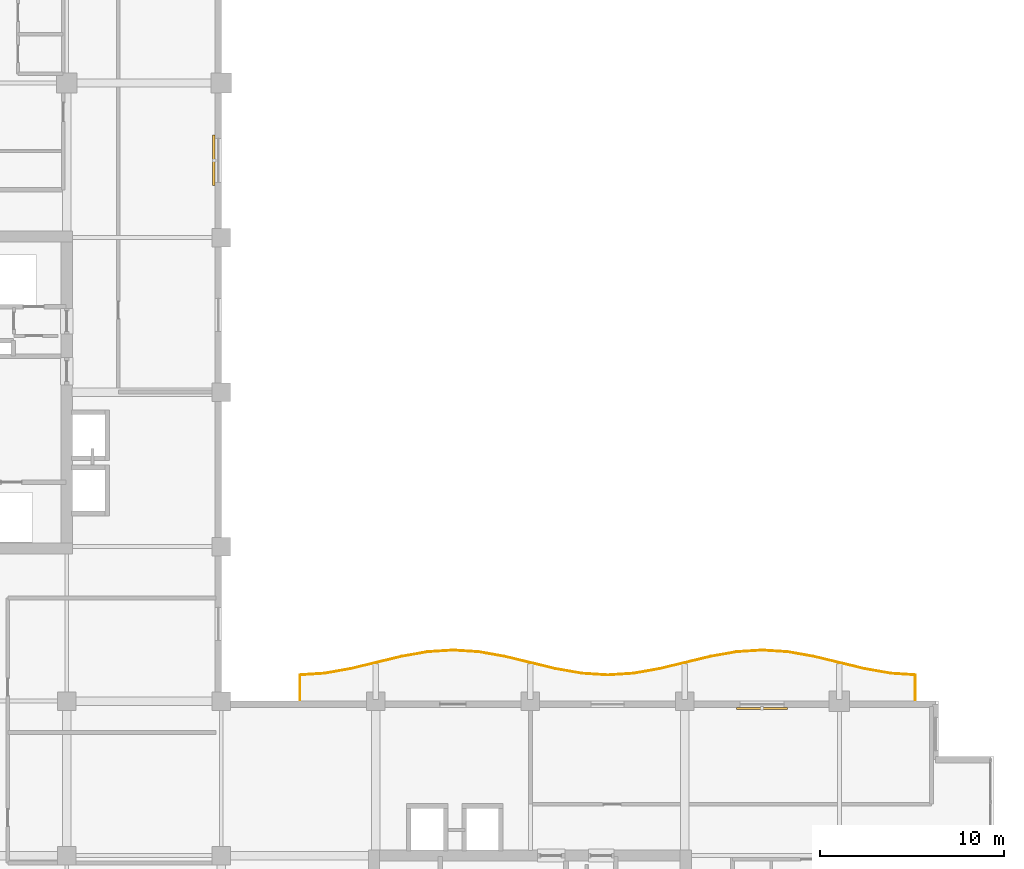
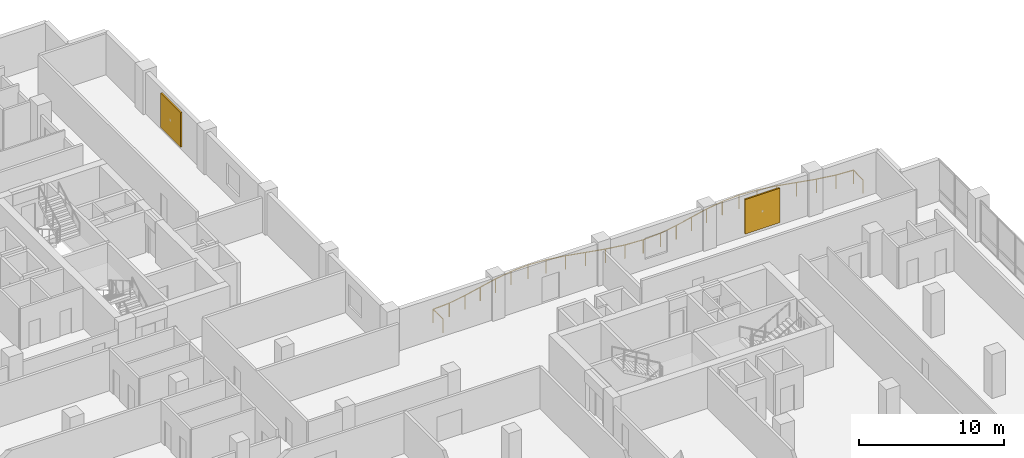
# One storey, part 20 of 20: 2 shading devices, 1 railing.
"""IFC4 building model written with IfcOpenShell, lengths in metres."""

import ifcopenshell
import ifcopenshell.guid

model = None  # the IFC model being written
_history = None  # IfcOwnerHistory: only IFC2X3 demands one
_inside = {}  # id of a spatial element -> (the spatial element, [elements in it])
_under = {}  # id of a project, library or spatial element -> (it, [spatial elements below it])
_declared = {}  # id of a project -> (the project, [libraries it declares])
_typed = {}  # id of a type object -> (the type object, [elements of that type])
_made_of = {}  # id of a material, layer set ... -> (it, [elements and type objects made of it])


def new_model(schema):
    """Start an empty IFC model of exactly this schema.

    Asked for "IFC4X3", IfcOpenShell would pick the latest addendum, in which some entities
    have other attributes; the version numbers below select the first issue.
    IFC2X3 requires an IfcOwnerHistory on every rooted entity: one is made here for all.
    """
    global model, _history
    if schema == "IFC4X3":
        model = ifcopenshell.file(schema_version=(4, 3, 0, 0))
    else:
        model = ifcopenshell.file(schema=schema)
    _inside.clear()
    _under.clear()
    _declared.clear()
    _typed.clear()
    _made_of.clear()
    _history = None
    if model.schema == "IFC2X3":
        org = make("IfcOrganization", Name="unknown")
        user = make(
            "IfcPersonAndOrganization",
            ThePerson=make("IfcPerson", FamilyName="unknown"),
            TheOrganization=org,
        )
        app = make(
            "IfcApplication",
            ApplicationDeveloper=org,
            Version="unknown",
            ApplicationFullName="unknown",
            ApplicationIdentifier="unknown",
        )
        _history = make(
            "IfcOwnerHistory",
            OwningUser=user,
            OwningApplication=app,
            ChangeAction="ADDED",
            CreationDate=0,
        )
    return model


def make(cls, **values):
    """One entity of the class cls with the attributes given. An attribute that is None is left unset."""
    return model.create_entity(
        cls, **{name: value for name, value in values.items() if value is not None}
    )


def rooted(cls, **values):
    """An entity with a GlobalId (a new one), such as an element, a storey or a relation."""
    return make(cls, GlobalId=ifcopenshell.guid.new(), OwnerHistory=_history, **values)


def si_unit(unit_type, name, prefix=None):
    """IfcSIUnit, for example si_unit("LENGTHUNIT", "METRE", prefix="MILLI")."""
    return make("IfcSIUnit", UnitType=unit_type, Prefix=prefix, Name=name)


def assignment(units):
    """IfcUnitAssignment: the units of a project."""
    return None if units is None else make("IfcUnitAssignment", Units=units)


def point(xyz):
    """IfcCartesianPoint."""
    return None if xyz is None else make("IfcCartesianPoint", Coordinates=xyz)


def direction(xyz):
    """IfcDirection."""
    return None if xyz is None else make("IfcDirection", DirectionRatios=xyz)


def frame(location, z_axis=None, x_axis=None):
    """IfcAxis2Placement3D, a coordinate frame: its origin and axes. An axis left out is left unset."""
    return make(
        "IfcAxis2Placement3D",
        Location=point(location),
        Axis=direction(z_axis),
        RefDirection=direction(x_axis),
    )


def frame_2d(location, x_axis=None):
    """IfcAxis2Placement2D, a coordinate frame in the plane: its origin and x axis."""
    return make(
        "IfcAxis2Placement2D", Location=point(location), RefDirection=direction(x_axis)
    )


def origin():
    """The frame at (0, 0, 0) with its axes left unset."""
    return frame((0.0, 0.0, 0.0))


def origin_2d():
    """The frame at (0, 0) in the plane with its x axis left unset."""
    return frame_2d((0.0, 0.0))


def place(relative_to, where):
    """IfcLocalPlacement: puts the frame where relative to a parent placement (None: the world)."""
    return make(
        "IfcLocalPlacement", PlacementRelTo=relative_to, RelativePlacement=where
    )


def context(
    kind, dimensions, precision=None, world=None, true_north=None, identifier=None
):
    """IfcGeometricRepresentationContext, for example the 3D "Model" context."""
    return make(
        "IfcGeometricRepresentationContext",
        ContextIdentifier=identifier,
        ContextType=kind,
        CoordinateSpaceDimension=dimensions,
        Precision=precision,
        WorldCoordinateSystem=world,
        TrueNorth=true_north,
    )


def subcontext(parent, identifier, kind, view, scale=None):
    """IfcGeometricRepresentationSubContext, for example "Body" below "Model"."""
    return make(
        "IfcGeometricRepresentationSubContext",
        ContextIdentifier=identifier,
        ContextType=kind,
        ParentContext=parent,
        TargetScale=scale,
        TargetView=view,
    )


def project(units=None, contexts=None):
    """IfcProject with its units and contexts."""
    return rooted(
        "IfcProject",
        Name="project",
        RepresentationContexts=contexts,
        UnitsInContext=assignment(units),
    )


def spatial(cls, under=None, at=None, **own):
    """A site, building, storey or space (cls), placed at a placement, below another one or the project."""
    s = rooted(cls, ObjectPlacement=at, **own)
    if under is not None:
        _under.setdefault(under.id(), (under, []))[1].append(s)
    return s


def profile(cls, at=None, kind="AREA", **sizes):
    """A parametric profile (cls). Its sizes go by their IFC names, for example OverallWidth=200.0."""
    return make(cls, ProfileType=kind, Position=at, **sizes)


def rectangle(**sizes):
    """IfcRectangleProfileDef."""
    return profile("IfcRectangleProfileDef", **sizes)


def circle(**sizes):
    """IfcCircleProfileDef."""
    return profile("IfcCircleProfileDef", **sizes)


def extrude(swept, where, along, depth):
    """IfcExtrudedAreaSolid: the profile swept, set in the frame where, extruded along a direction by depth."""
    return make(
        "IfcExtrudedAreaSolid",
        SweptArea=swept,
        Position=where,
        ExtrudedDirection=direction(along),
        Depth=depth,
    )


def shape(context_of_items, identifier, shape_type, items):
    """IfcShapeRepresentation: the items that make up one representation, for example the "Body"."""
    return make(
        "IfcShapeRepresentation",
        ContextOfItems=context_of_items,
        RepresentationIdentifier=identifier,
        RepresentationType=shape_type,
        Items=items,
    )


def material(Name=None, Category=None):
    """IfcMaterial."""
    return make("IfcMaterial", Name=Name, Category=Category)


def layer(
    of_material, thickness, ventilated=None, Name=None, Category=None, Priority=None
):
    """IfcMaterialLayer: one layer of a wall or slab, of a material (None: an air gap)."""
    return make(
        "IfcMaterialLayer",
        Material=of_material,
        LayerThickness=thickness,
        IsVentilated=ventilated,
        Name=Name,
        Category=Category,
        Priority=Priority,
    )


def layer_set(layers, Name=None):
    """IfcMaterialLayerSet."""
    return make("IfcMaterialLayerSet", MaterialLayers=layers, LayerSetName=Name)


def made_of(thing, what):
    """Note that an element or type object is made of a material, layer set ...; save() writes the relation."""
    if what is not None:
        _made_of.setdefault(what.id(), (what, []))[1].append(thing)
    return thing


def type_object(cls, material=None, **own):
    """A type object (cls), such as IfcWallType, which elements share."""
    return made_of(rooted(cls, **own), material)


def element(
    cls,
    number,
    at=None,
    inside=None,
    cuts=None,
    type_object=None,
    material=None,
    context=None,
    identifier="Body",
    shape_type=None,
    held_by="IfcProductDefinitionShape",
    body=None,
    shapes=None,
    **own,
):
    """One element of the class cls, such as IfcWall. Its Tag is "e" and its number.

    at: its placement. inside: the storey or other place that contains it. cuts: it is an
    opening in that element (IfcRelVoidsElement). A single representation is given by context,
    identifier, shape_type and body (its items); several are given by shapes. held_by: the class
    of the entity that holds the representations. save() writes the other relations.
    """
    e = rooted(cls, Tag="e%d" % number, ObjectPlacement=at, **own)
    if body is not None:
        shapes = [shape(context, identifier, shape_type, body)]
    if shapes is not None:
        e.Representation = make(held_by, Representations=shapes)
    if inside is not None:
        _inside.setdefault(inside.id(), (inside, []))[1].append(e)
    if cuts is not None:
        rooted(
            "IfcRelVoidsElement", RelatingBuildingElement=cuts, RelatedOpeningElement=e
        )
    if type_object is not None:
        _typed.setdefault(type_object.id(), (type_object, []))[1].append(e)
    return made_of(e, material)


def aggregate(whole, parts):
    """IfcRelAggregates: a whole, such as a stair, and the parts it consists of."""
    return rooted("IfcRelAggregates", RelatingObject=whole, RelatedObjects=parts)


def save(model, path):
    """Write the relations noted so far, then the file.

    IfcRelAggregates (storeys below a building ...), IfcRelContainedInSpatialStructure (elements
    in a storey), IfcRelDefinesByType, IfcRelAssociatesMaterial and IfcRelDeclares: one each for
    every whole, place, type object, material and project.
    """
    for whole, parts in _under.values():
        aggregate(whole, parts)
    for where, things in _inside.values():
        rooted(
            "IfcRelContainedInSpatialStructure",
            RelatedElements=things,
            RelatingStructure=where,
        )
    for kind, things in _typed.values():
        rooted("IfcRelDefinesByType", RelatedObjects=things, RelatingType=kind)
    for what, things in _made_of.values():
        rooted("IfcRelAssociatesMaterial", RelatedObjects=things, RelatingMaterial=what)
    for by, libraries in _declared.values():
        rooted("IfcRelDeclares", RelatingContext=by, RelatedDefinitions=libraries)
    model.write(path)


model = new_model("IFC4")

# Units and contexts
model_context = context("Model", 3, precision=1e-05, world=origin(), true_north=direction((0.0, 1.0)))
body_context = subcontext(model_context, "Body", "Model", "MODEL_VIEW")
ifc_project = project(units=[si_unit("LENGTHUNIT", "METRE"), si_unit("AREAUNIT", "SQUARE_METRE"), si_unit("VOLUMEUNIT", "CUBIC_METRE"), si_unit("PLANEANGLEUNIT", "RADIAN"), si_unit("MASSUNIT", "GRAM", prefix="KILO")], contexts=[model_context])

# Site, building, storey
site_placement = place(None, origin())
site = spatial("IfcSite", under=ifc_project, at=site_placement, CompositionType="ELEMENT")
building_placement = place(site_placement, origin())
building = spatial("IfcBuilding", under=site, at=building_placement, Name="Koriwani Terraces Tower", CompositionType="ELEMENT")
storey_placement = place(building_placement, frame((0.0, 0.0, 212.39990234375)))
storey = spatial("IfcBuildingStorey", under=building, at=storey_placement, Name="L52", CompositionType="ELEMENT", Elevation=212.39990234375)

# Railing
ifc_material_1 = material(Name="Steel ASTM A572 Grade 50", Category="steel")
railing_type = type_object("IfcRailingType", Name="GUARD_BALUSTRADE_1150", PredefinedType="BALUSTRADE", material=ifc_material_1)
railing_placement = place(storey_placement, frame((71.320068359375, 33.679931640625, 0.0)))
element("IfcRailing", 1, at=railing_placement, inside=storey, type_object=railing_type, Name="L52 Balcony Perimeter Safety Balustrade (NE)", PredefinedType="BALUSTRADE", context=body_context, shape_type="SweptSolid", body=[
    extrude(circle(Radius=0.02392578125, at=origin_2d()), frame((0.0, 0.0, 1.1259765625), z_axis=(0.0, 1.0, 0.0), x_axis=(-1.0, 0.0, 0.0)), (0.0, 0.0, 1.0), 1.344970703125),
    extrude(circle(Radius=0.02392578125, at=origin_2d()), frame((0.0, 1.344970703125, 1.1259765625), z_axis=(-0.997905895812, 0.064682479108, 0.0), x_axis=(-0.064682479108, -0.997905895812, 0.0)), (0.0, 0.0, 1.0), 1.332275390625),
    extrude(circle(Radius=0.02392578125, at=origin_2d()), frame((-1.32958984375, 1.43115234375, 1.1259765625), z_axis=(-0.984807637937, 0.173648830292, 0.0), x_axis=(-0.173648830292, -0.984807637937, 0.0)), (0.0, 0.0, 1.0), 1.428466796875),
    extrude(circle(Radius=0.02392578125, at=origin_2d()), frame((-2.736328125, 1.67919921875, 1.1259765625), z_axis=(-0.972147505112, 0.234369853661, 0.0), x_axis=(-0.234369853661, -0.972147505112, 0.0)), (0.0, 0.0, 1.0), 2.88037109375),
    extrude(circle(Radius=0.02392578125, at=origin_2d()), frame((-5.536376953125, 2.354248046875, 1.1259765625), z_axis=(-0.984787032938, 0.173765646078, 0.0), x_axis=(-0.173765646078, -0.984787032938, 0.0)), (0.0, 0.0, 1.0), 1.414794921875),
    extrude(circle(Radius=0.02392578125, at=origin_2d()), frame((-6.9296875, 2.60009765625, 1.1259765625), z_axis=(-0.997918766852, 0.064483600738, 0.0), x_axis=(-0.064483600738, -0.997918766852, 0.0)), (0.0, 0.0, 1.0), 1.393310546875),
    extrude(circle(Radius=0.02392578125, at=origin_2d()), frame((-8.320068359375, 2.68994140625, 1.1259765625), z_axis=(-0.997918766852, -0.064483600738, 0.0), x_axis=(0.064483600738, -0.997918766852, 0.0)), (0.0, 0.0, 1.0), 1.393310546875),
    extrude(circle(Radius=0.02392578125, at=origin_2d()), frame((-9.71044921875, 2.60009765625, 1.1259765625), z_axis=(-0.984787032938, -0.173765646078, 0.0), x_axis=(0.173765646078, -0.984787032938, 0.0)), (0.0, 0.0, 1.0), 1.414794921875),
    extrude(circle(Radius=0.02392578125, at=origin_2d()), frame((-11.103759765625, 2.354248046875, 1.1259765625), z_axis=(-0.972147505112, -0.234369853661, 0.0), x_axis=(0.234369853661, -0.972147505112, 0.0)), (0.0, 0.0, 1.0), 2.88037109375),
    extrude(circle(Radius=0.02392578125, at=origin_2d()), frame((-13.90380859375, 1.67919921875, 1.1259765625), z_axis=(-0.984807637937, -0.173648830292, 0.0), x_axis=(0.173648830292, -0.984807637937, 0.0)), (0.0, 0.0, 1.0), 1.428466796875),
    extrude(circle(Radius=0.02392578125, at=origin_2d()), frame((-15.310546875, 1.43115234375, 1.1259765625), z_axis=(-0.997930321615, -0.064304534842, 0.0), x_axis=(0.064304534842, -0.997930321615, 0.0)), (0.0, 0.0, 1.0), 1.412353515625),
    extrude(circle(Radius=0.02392578125, at=origin_2d()), frame((-16.719970703125, 1.34033203125, 1.1259765625), z_axis=(-0.997931036226, 0.064293443969, 0.0), x_axis=(-0.064293443969, -0.997931036226, 0.0)), (0.0, 0.0, 1.0), 1.41259765625),
    extrude(circle(Radius=0.02392578125, at=origin_2d()), frame((-18.129638671875, 1.43115234375, 1.1259765625), z_axis=(-0.984807637937, 0.173648830292, 0.0), x_axis=(-0.173648830292, -0.984807637937, 0.0)), (0.0, 0.0, 1.0), 1.428466796875),
    extrude(circle(Radius=0.02392578125, at=origin_2d()), frame((-19.536376953125, 1.67919921875, 1.1259765625), z_axis=(-0.972147505112, 0.234369853661, 0.0), x_axis=(-0.234369853661, -0.972147505112, 0.0)), (0.0, 0.0, 1.0), 2.88037109375),
    extrude(circle(Radius=0.02392578125, at=origin_2d()), frame((-22.33642578125, 2.354248046875, 1.1259765625), z_axis=(-0.984787032938, 0.173765646078, 0.0), x_axis=(-0.173765646078, -0.984787032938, 0.0)), (0.0, 0.0, 1.0), 1.414794921875),
    extrude(circle(Radius=0.02392578125, at=origin_2d()), frame((-23.729736328125, 2.60009765625, 1.1259765625), z_axis=(-0.997918766852, 0.064483600738, 0.0), x_axis=(-0.064483600738, -0.997918766852, 0.0)), (0.0, 0.0, 1.0), 1.393310546875),
    extrude(circle(Radius=0.02392578125, at=origin_2d()), frame((-25.1201171875, 2.68994140625, 1.1259765625), z_axis=(-0.997918766852, -0.064483600738, 0.0), x_axis=(0.064483600738, -0.997918766852, 0.0)), (0.0, 0.0, 1.0), 1.393310546875),
    extrude(circle(Radius=0.02392578125, at=origin_2d()), frame((-26.510498046875, 2.60009765625, 1.1259765625), z_axis=(-0.984787032938, -0.173765646078, 0.0), x_axis=(0.173765646078, -0.984787032938, 0.0)), (0.0, 0.0, 1.0), 1.414794921875),
    extrude(circle(Radius=0.02392578125, at=origin_2d()), frame((-27.90380859375, 2.354248046875, 1.1259765625), z_axis=(-0.972147505112, -0.234369853661, 0.0), x_axis=(0.234369853661, -0.972147505112, 0.0)), (0.0, 0.0, 1.0), 2.88037109375),
    extrude(circle(Radius=0.02392578125, at=origin_2d()), frame((-30.703857421875, 1.67919921875, 1.1259765625), z_axis=(-0.984807637937, -0.173648830292, 0.0), x_axis=(0.173648830292, -0.984807637937, 0.0)), (0.0, 0.0, 1.0), 1.428466796875),
    extrude(circle(Radius=0.02392578125, at=origin_2d()), frame((-32.110595703125, 1.43115234375, 1.1259765625), z_axis=(-0.997905895812, -0.064682479108, 0.0), x_axis=(0.064682479108, -0.997905895812, 0.0)), (0.0, 0.0, 1.0), 1.332275390625),
    extrude(circle(Radius=0.02392578125, at=origin_2d()), frame((-33.440185546875, 1.344970703125, 1.1259765625), z_axis=(0.0, -1.0, 0.0), x_axis=(1.0, 0.0, 0.0)), (0.0, 0.0, 1.0), 1.344970703125),
    extrude(circle(Radius=0.02099609375, at=origin_2d()), origin(), (0.0, 0.0, 1.0), 1.101806640625),
    extrude(circle(Radius=0.02099609375, at=origin_2d()), frame((0.0, 1.344970703125, 0.0)), (0.0, 0.0, 1.0), 1.101806640625),
    extrude(circle(Radius=0.02099609375, at=origin_2d()), frame((-1.32958984375, 1.43115234375, 0.0)), (0.0, 0.0, 1.0), 1.101806640625),
    extrude(circle(Radius=0.02099609375, at=origin_2d()), frame((-2.736328125, 1.67919921875, 0.0)), (0.0, 0.0, 1.0), 1.101806640625),
    extrude(circle(Radius=0.02099609375, at=origin_2d()), frame((-4.13623046875, 2.0166015625, 0.0)), (0.0, 0.0, 1.0), 1.101806640625),
    extrude(circle(Radius=0.02099609375, at=origin_2d()), frame((-5.536376953125, 2.354248046875, 0.0)), (0.0, 0.0, 1.0), 1.101806640625),
    extrude(circle(Radius=0.02099609375, at=origin_2d()), frame((-6.9296875, 2.60009765625, 0.0)), (0.0, 0.0, 1.0), 1.101806640625),
    extrude(circle(Radius=0.02099609375, at=origin_2d()), frame((-8.320068359375, 2.68994140625, 0.0)), (0.0, 0.0, 1.0), 1.101806640625),
    extrude(circle(Radius=0.02099609375, at=origin_2d()), frame((-9.71044921875, 2.60009765625, 0.0)), (0.0, 0.0, 1.0), 1.101806640625),
    extrude(circle(Radius=0.02099609375, at=origin_2d()), frame((-11.103759765625, 2.354248046875, 0.0)), (0.0, 0.0, 1.0), 1.101806640625),
    extrude(circle(Radius=0.02099609375, at=origin_2d()), frame((-12.50390625, 2.0166015625, 0.0)), (0.0, 0.0, 1.0), 1.101806640625),
    extrude(circle(Radius=0.02099609375, at=origin_2d()), frame((-13.90380859375, 1.67919921875, 0.0)), (0.0, 0.0, 1.0), 1.101806640625),
    extrude(circle(Radius=0.02099609375, at=origin_2d()), frame((-15.310546875, 1.43115234375, 0.0)), (0.0, 0.0, 1.0), 1.101806640625),
    extrude(circle(Radius=0.02099609375, at=origin_2d()), frame((-16.719970703125, 1.34033203125, 0.0)), (0.0, 0.0, 1.0), 1.101806640625),
    extrude(circle(Radius=0.02099609375, at=origin_2d()), frame((-18.129638671875, 1.43115234375, 0.0)), (0.0, 0.0, 1.0), 1.101806640625),
    extrude(circle(Radius=0.02099609375, at=origin_2d()), frame((-19.536376953125, 1.67919921875, 0.0)), (0.0, 0.0, 1.0), 1.101806640625),
    extrude(circle(Radius=0.02099609375, at=origin_2d()), frame((-20.9365234375, 2.0166015625, 0.0)), (0.0, 0.0, 1.0), 1.101806640625),
    extrude(circle(Radius=0.02099609375, at=origin_2d()), frame((-22.33642578125, 2.354248046875, 0.0)), (0.0, 0.0, 1.0), 1.101806640625),
    extrude(circle(Radius=0.02099609375, at=origin_2d()), frame((-23.729736328125, 2.60009765625, 0.0)), (0.0, 0.0, 1.0), 1.101806640625),
    extrude(circle(Radius=0.02099609375, at=origin_2d()), frame((-25.1201171875, 2.68994140625, 0.0)), (0.0, 0.0, 1.0), 1.101806640625),
    extrude(circle(Radius=0.02099609375, at=origin_2d()), frame((-26.510498046875, 2.60009765625, 0.0)), (0.0, 0.0, 1.0), 1.101806640625),
    extrude(circle(Radius=0.02099609375, at=origin_2d()), frame((-27.90380859375, 2.354248046875, 0.0)), (0.0, 0.0, 1.0), 1.101806640625),
    extrude(circle(Radius=0.02099609375, at=origin_2d()), frame((-29.3037109375, 2.0166015625, 0.0)), (0.0, 0.0, 1.0), 1.101806640625),
    extrude(circle(Radius=0.02099609375, at=origin_2d()), frame((-30.703857421875, 1.67919921875, 0.0)), (0.0, 0.0, 1.0), 1.101806640625),
    extrude(circle(Radius=0.02099609375, at=origin_2d()), frame((-32.110595703125, 1.43115234375, 0.0)), (0.0, 0.0, 1.0), 1.101806640625),
    extrude(circle(Radius=0.02099609375, at=origin_2d()), frame((-33.440185546875, 1.344970703125, 0.0)), (0.0, 0.0, 1.0), 1.101806640625),
    extrude(circle(Radius=0.02099609375, at=origin_2d()), frame((-33.440185546875, 0.0, 0.0)), (0.0, 0.0, 1.0), 1.101806640625),
])

# Shading devices
ifc_material_2 = material(Name="Extruded Terracotta Clay", Category="masonry")
ifc_layer = layer(ifc_material_2, 0.1201171875, Name="Extruded Terracotta Clay")
ifc_layer_set = layer_set([ifc_layer], Name="Extruded Terracotta Clay")
shading_device_type = type_object("IfcShadingDeviceType", Name="TERRACOTTA_BAGUETTE_SCREEN_2800", PredefinedType="USERDEFINED", material=ifc_layer_set)
for number, where, z_axis, x_axis, name in (
    (2, (33.195068359375, 63.0, 0.28515625), (0.0, 0.0, 1.0), (0.0, -1.0, 0.0), "L52 Extruded Terracotta Baguette Screen (NW_IN-11)"),
    (3, (63.0, 33.195068359375, 0.28515625), (0.0, 0.0, 1.0), (1.0, 0.0, 0.0), "L52 Extruded Terracotta Baguette Screen (NE-11)"),
):
    element("IfcShadingDevice", number, at=place(storey_placement, frame(where, z_axis=z_axis, x_axis=x_axis)), inside=storey, type_object=shading_device_type, Name=name, ObjectType="BAGUETTE", PredefinedType="USERDEFINED", context=body_context, shape_type="SweptSolid", body=[
        extrude(rectangle(XDim=2.760009765625, YDim=0.1201171875, at=origin_2d()), origin(), (0.0, 0.0, 1.0), 2.89990234375),
    ])

save(model, "model.ifc")
